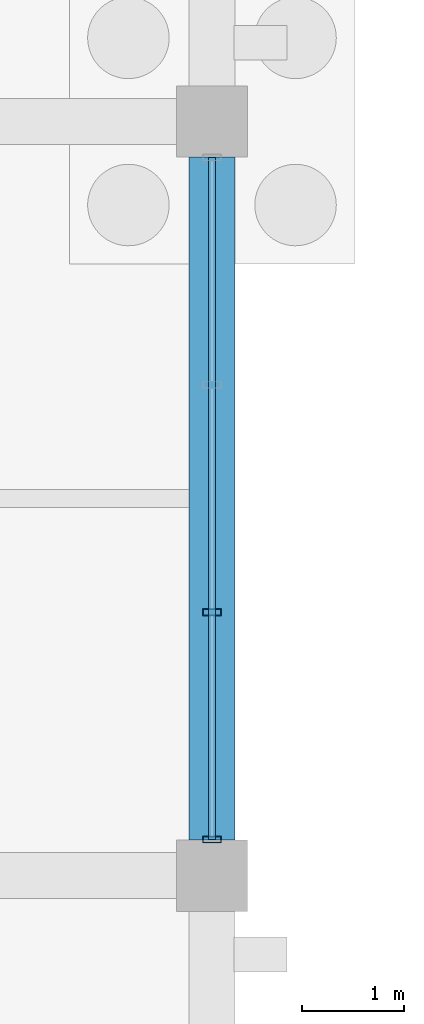
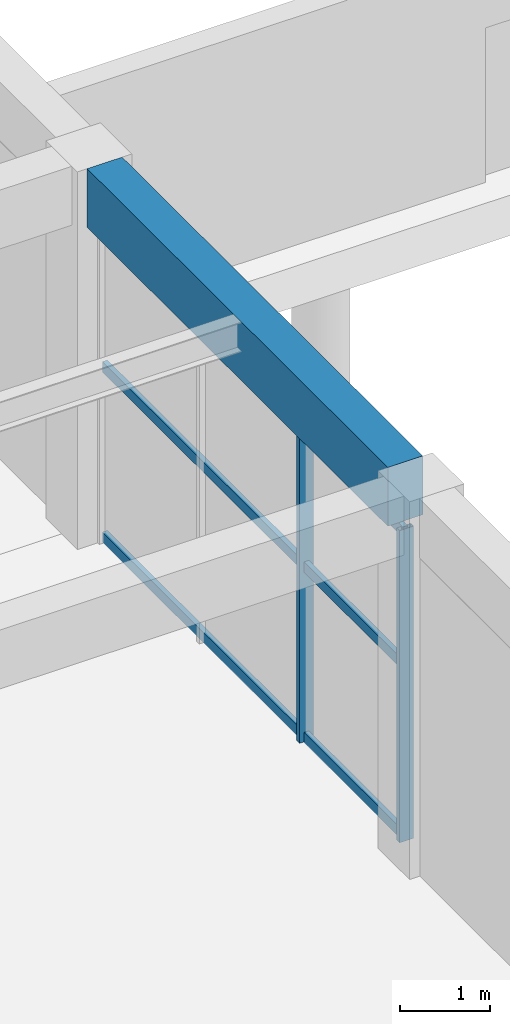
# One storey, part 98 of 140: 5 members, 1 beam, 1 element without a shape of its own.
"""IFC4 building model written with IfcOpenShell, lengths in metres."""

from ifc_helpers import new_model, si_unit, direction, frame, origin, origin_2d, place, context, subcontext, project, spatial, rectangle, hollow_rectangle, extrude, material, material_profile, profile_set, type_object, element, aggregate, save


model = new_model("IFC4")

# Units and contexts
model_context = context("Model", 3, precision=1e-05, world=origin(), true_north=direction((0.0, 1.0)))
body_context = subcontext(model_context, "Body", "Model", "MODEL_VIEW")
ifc_project = project(units=[si_unit("LENGTHUNIT", "METRE"), si_unit("AREAUNIT", "SQUARE_METRE"), si_unit("VOLUMEUNIT", "CUBIC_METRE"), si_unit("PLANEANGLEUNIT", "RADIAN"), si_unit("MASSUNIT", "GRAM", prefix="KILO")], contexts=[model_context])

# Site, building, storey
site_placement = place(None, origin())
site = spatial("IfcSite", under=ifc_project, at=site_placement, CompositionType="ELEMENT")
building_placement = place(site_placement, origin())
building = spatial("IfcBuilding", under=site, at=building_placement, Name="Cimatlan Art Gallery", CompositionType="ELEMENT")
storey_placement = place(building_placement, origin())
storey = spatial("IfcBuildingStorey", under=building, at=storey_placement, Name="L00", CompositionType="ELEMENT", Elevation=0.0)

# Beam
ifc_material_1 = material(Name="Concrete C40/50", Category="concrete")
ifc_material_profile_1 = material_profile(ifc_material_1, rectangle(XDim=0.449951171875, YDim=0.800048828125, at=origin_2d()), Name="RC450X800")
ifc_profile_set_1 = profile_set([ifc_material_profile_1], Name="Concrete C40/50")
beam_type = type_object("IfcBeamType", Name="BM-RC-450X800", PredefinedType="BEAM", material=ifc_profile_set_1)
beam_placement = place(storey_placement, frame((131.60009765625, 61.25, 4.735107421875), z_axis=(0.0, 1.0, 0.0), x_axis=(-1.0, 0.0, 0.0)))
element("IfcBeam", 1, at=beam_placement, inside=storey, type_object=beam_type, Name="BM-Y-L00-16-08", PredefinedType="BEAM", context=body_context, shape_type="SweptSolid", body=[
    extrude(rectangle(XDim=0.449951171875, YDim=0.800048828125, at=origin_2d()), origin(), (0.0, 0.0, 1.0), 6.699951171875),
])

# Curtain wall, members
ifc_material_2 = material(Name="Anodised bronze unitised curtain wall")
curtain_wall_type = type_object("IfcCurtainWallType", Name="CW-V-06692X04245-B3", PredefinedType="NOTDEFINED", material=ifc_material_2)
curtain_wall_placement = place(storey_placement, origin())
curtain_wall = element("IfcCurtainWall", 2, at=curtain_wall_placement, inside=storey, type_object=curtain_wall_type, Name="CW-L00-15-08-E", PredefinedType="NOTDEFINED")
ifc_material_3 = material(Name="Anodised bronze aluminium 6063-T6", Category="aluminium")
ifc_material_profile_2 = material_profile(ifc_material_3, hollow_rectangle(XDim=0.06494140625, YDim=0.179931640625, WallThickness=0.00390625, at=origin_2d()), Name="ALU65X180X4")
ifc_profile_set_2 = profile_set([ifc_material_profile_2], Name="Anodised bronze aluminium 6063-T6")
member_type_1 = type_object("IfcMemberType", Name="CW-MUL-180", PredefinedType="MULLION", material=ifc_profile_set_2)
member_1_placement = place(storey_placement, frame((131.60009765625, 63.484619140625, 0.0), z_axis=(0.0, 0.0, 1.0), x_axis=(0.0, 1.0, 0.0)))
member_1 = element("IfcMember", 3, at=member_1_placement, type_object=member_type_1, Name="CW-L00-15-08-E-M3", PredefinedType="MULLION", context=body_context, shape_type="SweptSolid", body=[
    extrude(hollow_rectangle(XDim=0.06494140625, YDim=0.179931640625, WallThickness=0.00390625, at=origin_2d()), origin(), (0.0, 0.0, 1.0), 4.2451171875),
])
member_2_placement = place(storey_placement, frame((131.60009765625, 61.25390625, 0.0), z_axis=(0.0, 0.0, 1.0), x_axis=(0.0, 1.0, 0.0)))
member_2 = element("IfcMember", 4, at=member_2_placement, type_object=member_type_1, Name="CW-L00-15-08-E-M4", PredefinedType="MULLION", context=body_context, shape_type="SweptSolid", body=[
    extrude(hollow_rectangle(XDim=0.06494140625, YDim=0.179931640625, WallThickness=0.00390625, at=origin_2d()), origin(), (0.0, 0.0, 1.0), 4.2451171875),
])
ifc_material_profile_3 = material_profile(ifc_material_3, hollow_rectangle(XDim=0.06494140625, YDim=0.139892578125, WallThickness=0.00390625, at=origin_2d()), Name="ALU65X140X4")
ifc_profile_set_3 = profile_set([ifc_material_profile_3], Name="Anodised bronze aluminium 6063-T6")
member_type_2 = type_object("IfcMemberType", Name="CW-TRN-140", PredefinedType="USERDEFINED", material=ifc_profile_set_3)
member_3_placement = place(storey_placement, frame((131.60009765625, 67.946044921875, 0.06005859375), z_axis=(0.0, -1.0, 0.0), x_axis=(1.0, 0.0, 0.0)))
member_3 = element("IfcMember", 5, at=member_3_placement, type_object=member_type_2, Name="CW-L00-15-08-E-T1", ObjectType="TRANSOM", PredefinedType="USERDEFINED", context=body_context, shape_type="SweptSolid", body=[
    extrude(hollow_rectangle(XDim=0.06494140625, YDim=0.139892578125, WallThickness=0.00390625, at=origin_2d()), origin(), (0.0, 0.0, 1.0), 6.692138671875),
])
member_4_placement = place(storey_placement, frame((131.60009765625, 67.946044921875, 2.377197265625), z_axis=(0.0, -1.0, 0.0), x_axis=(1.0, 0.0, 0.0)))
member_4 = element("IfcMember", 6, at=member_4_placement, type_object=member_type_2, Name="CW-L00-15-08-E-T2", ObjectType="TRANSOM", PredefinedType="USERDEFINED", context=body_context, shape_type="SweptSolid", body=[
    extrude(hollow_rectangle(XDim=0.06494140625, YDim=0.139892578125, WallThickness=0.00390625, at=origin_2d()), origin(), (0.0, 0.0, 1.0), 6.692138671875),
])
member_5_placement = place(storey_placement, frame((131.60009765625, 67.946044921875, 4.18505859375), z_axis=(0.0, -1.0, 0.0), x_axis=(1.0, 0.0, 0.0)))
member_5 = element("IfcMember", 7, at=member_5_placement, type_object=member_type_2, Name="CW-L00-15-08-E-T3", ObjectType="TRANSOM", PredefinedType="USERDEFINED", context=body_context, shape_type="SweptSolid", body=[
    extrude(hollow_rectangle(XDim=0.06494140625, YDim=0.139892578125, WallThickness=0.00390625, at=origin_2d()), origin(), (0.0, 0.0, 1.0), 6.692138671875),
])
aggregate(curtain_wall, [member_1, member_2, member_3, member_4, member_5])

save(model, "model.ifc")
